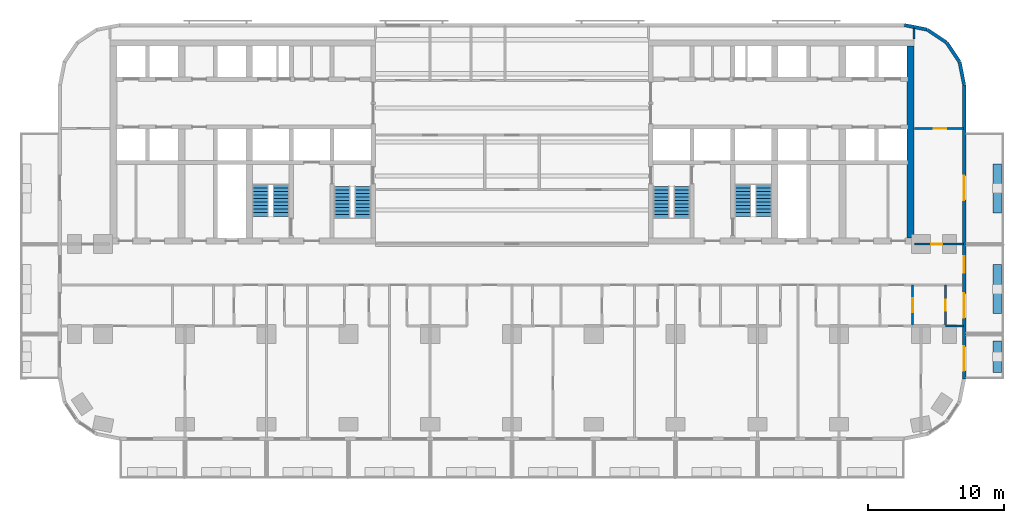
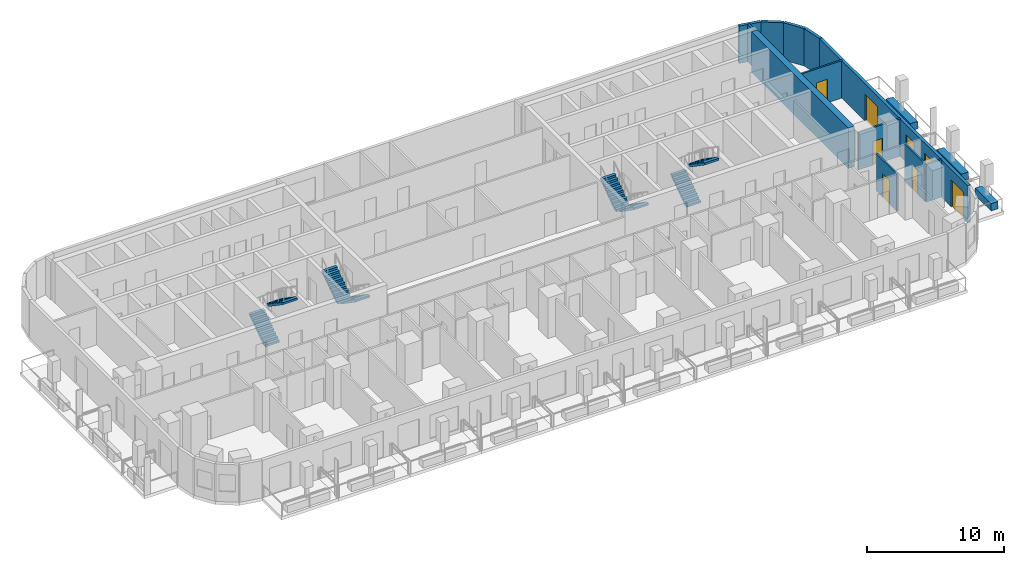
# One storey, part 9 of 14: 15 walls, 8 stair flights, 7 doors, 1 window, 8 openings, 4 elements without a shape of their own.
"""IFC4 building model written with IfcOpenShell, lengths in metres."""

from ifc_helpers import new_model, si_unit, direction, frame, frame_2d, origin, place, context, subcontext, project, spatial, polyline, rectangle, outline, extrude, material, layer, layer_set, type_object, element, fill, aggregate, save


model = new_model("IFC4")

# Units and contexts
model_context = context("Model", 3, precision=1e-05, world=origin(), true_north=direction((0.0, 1.0)))
body_context = subcontext(model_context, "Body", "Model", "MODEL_VIEW")
ifc_project = project(units=[si_unit("LENGTHUNIT", "METRE"), si_unit("AREAUNIT", "SQUARE_METRE"), si_unit("VOLUMEUNIT", "CUBIC_METRE"), si_unit("PLANEANGLEUNIT", "RADIAN"), si_unit("MASSUNIT", "GRAM", prefix="KILO")], contexts=[model_context])

# Site, building, storey
site_placement = place(None, origin())
site = spatial("IfcSite", under=ifc_project, at=site_placement, CompositionType="ELEMENT")
building_placement = place(site_placement, origin())
building = spatial("IfcBuilding", under=site, at=building_placement, Name="Torana Hotel and Residences", CompositionType="ELEMENT")
storey_placement = place(building_placement, frame((0.0, 0.0, 74.39990234375)))
storey = spatial("IfcBuildingStorey", under=building, at=storey_placement, Name="L18", CompositionType="ELEMENT", Elevation=74.39990234375)

# Walls
ifc_material_1 = material(Name="Concrete C80/95", Category="concrete")
ifc_layer_1 = layer(ifc_material_1, 0.5)
ifc_layer_set_1 = layer_set([ifc_layer_1], Name="CORE WALL 500 C80/95")
wall_type_1 = type_object("IfcWallType", Name="CORE WALL 500 C80/95", PredefinedType="SHEAR", material=ifc_layer_set_1)
wall_1_placement = place(storey_placement, frame((29.25, -14.550048828125, 0.0), z_axis=(0.0, 0.0, 1.0), x_axis=(0.0, 1.0, 0.0)))
element("IfcWall", 1, at=wall_1_placement, inside=storey, type_object=wall_type_1, Name="Core wall E outer", PredefinedType="SHEAR", context=body_context, shape_type="SweptSolid", body=[
    extrude(rectangle(XDim=14.10009765625, YDim=0.5, at=frame_2d((7.050048828125, 0.0))), origin(), (0.0, 0.0, 1.0), 3.60009765625),
])
ifc_material_2 = material(Name="Black aluminium composite panel", Category="aluminium")
ifc_layer_2 = layer(ifc_material_2, 0.00390625, Name="Cladding", Category="cladding")
ifc_material_3 = material(Name="Ventilated air cavity")
ifc_layer_3 = layer(ifc_material_3, 0.0400390625, Name="Ventilated cavity", Category="cavity")
ifc_material_4 = material(Name="Mineral wool insulation")
ifc_layer_4 = layer(ifc_material_4, 0.090087890625, Name="Insulation", Category="insulation")
ifc_material_5 = material(Name="Steel S280GD", Category="steel")
ifc_layer_5 = layer(ifc_material_5, 0.092041015625, Name="Steel stud frame", Category="structure")
ifc_material_6 = material(Name="Fire rated plasterboard")
ifc_layer_6 = layer(ifc_material_6, 0.011962890625, Name="Inner board", Category="finish")
ifc_layer_7 = layer(ifc_material_6, 0.011962890625, Name="Second board", Category="finish")
ifc_layer_set_2 = layer_set([ifc_layer_2, ifc_layer_3, ifc_layer_4, ifc_layer_5, ifc_layer_6, ifc_layer_7], Name="EW1 EXTERNAL WALL BLACK METAL CLAD 250")
wall_type_2 = type_object("IfcWallType", Name="EW1 EXTERNAL WALL BLACK METAL CLAD 250", PredefinedType="SOLIDWALL", material=ifc_layer_set_2)
wall_2_placement = place(storey_placement, frame((33.172607421875, -3.30029296875, 0.0), z_axis=(0.0, 0.0, 1.0), x_axis=(-0.19513878023, 0.980775640221, 0.0)))
element("IfcWall", 2, at=wall_2_placement, inside=storey, type_object=wall_type_2, Name="External wall L18 e0.0", PredefinedType="SOLIDWALL", context=body_context, shape_type="SweptSolid", body=[
    extrude(rectangle(XDim=1.681396484375, YDim=0.25, at=frame_2d((0.8408203125, 0.0))), origin(), (0.0, 0.0, 1.0), 3.320068359375),
])
for number, where, z_axis, x_axis, name in (
    (3, (32.825927734375, -1.60595703125, 0.0), (0.0, 0.0, 1.0), (-0.55555029066, 0.831482937015, 0.0), "External wall L18 e0.1"),
    (4, (31.87109375, -0.1943359375, 0.0), (0.0, 0.0, 1.0), (-0.831482937015, 0.55555029066, 0.0), "External wall L18 e0.2"),
):
    element("IfcWall", number, at=place(storey_placement, frame(where, z_axis=z_axis, x_axis=x_axis)), inside=storey, type_object=wall_type_2, Name=name, PredefinedType="SOLIDWALL", context=body_context, shape_type="SweptSolid", body=[
        extrude(rectangle(XDim=1.65625, YDim=0.25, at=frame_2d((0.828125, 0.0))), origin(), (0.0, 0.0, 1.0), 3.320068359375),
    ])
wall_3_placement = place(storey_placement, frame((30.448974609375, 0.74462890625, 0.0), z_axis=(0.0, 0.0, 1.0), x_axis=(-0.980803419081, 0.194999110559, 0.0)))
element("IfcWall", 5, at=wall_3_placement, inside=storey, type_object=wall_type_2, Name="External wall L18 e0.3", PredefinedType="SOLIDWALL", context=body_context, shape_type="SweptSolid", body=[
    extrude(rectangle(XDim=1.681396484375, YDim=0.25, at=frame_2d((0.8408203125, 0.0))), origin(), (0.0, 0.0, 1.0), 3.320068359375),
])

# Wall, openings, doors, window
wall_4_placement = place(storey_placement, frame((33.175048828125, -24.87548828125, 0.0), z_axis=(0.0, 0.0, 1.0), x_axis=(0.0, 1.0, 0.0)))
wall_4 = element("IfcWall", 6, at=wall_4_placement, inside=storey, type_object=wall_type_2, Name="External wall L18 e0.19", PredefinedType="SOLIDWALL", context=body_context, shape_type="SweptSolid", body=[
    extrude(rectangle(XDim=21.55078125, YDim=0.25, at=frame_2d((10.775390625, 0.0))), origin(), (0.0, 0.0, 1.0), 3.320068359375),
])
opening_1_placement = place(wall_4_placement, frame((0.575439453125, 0.0, 0.0)))
opening_1 = element("IfcOpeningElement", 7, at=opening_1_placement, cuts=wall_4, Name="Opening L18-E11", PredefinedType="OPENING", context=body_context, shape_type="SweptSolid", body=[
    extrude(rectangle(XDim=1.800048828125, YDim=2.39990234375, at=frame_2d((0.89990234375, 1.199951171875))), frame((0.0, 0.135009765625, 0.0), z_axis=(0.0, -1.0, 0.0), x_axis=(1.0, 0.0, 0.0)), (0.0, 0.0, 1.0), 0.27001953125),
])
opening_2_placement = place(wall_4_placement, frame((4.475341796875, 0.0, 0.0)))
opening_2 = element("IfcOpeningElement", 8, at=opening_2_placement, cuts=wall_4, Name="Opening L18-E12", PredefinedType="OPENING", context=body_context, shape_type="SweptSolid", body=[
    extrude(rectangle(XDim=1.800048828125, YDim=2.39990234375, at=frame_2d((0.89990234375, 1.199951171875))), frame((0.0, 0.135009765625, 0.0), z_axis=(0.0, -1.0, 0.0), x_axis=(1.0, 0.0, 0.0)), (0.0, 0.0, 1.0), 0.27001953125),
])
opening_3_placement = place(wall_4_placement, frame((7.775390625, 0.0, 0.300048828125)))
opening_3 = element("IfcOpeningElement", 9, at=opening_3_placement, cuts=wall_4, Name="Opening W7", PredefinedType="OPENING", context=body_context, shape_type="SweptSolid", body=[
    extrude(rectangle(XDim=1.199951171875, YDim=2.10009765625, at=frame_2d((0.60009765625, 1.050048828125))), frame((0.0, 0.135009765625, 0.0), z_axis=(0.0, -1.0, 0.0), x_axis=(1.0, 0.0, 0.0)), (0.0, 0.0, 1.0), 0.27001953125),
])
opening_4_placement = place(wall_4_placement, frame((13.100341796875, 0.0, 0.0)))
opening_4 = element("IfcOpeningElement", 10, at=opening_4_placement, cuts=wall_4, Name="Opening L18-E13", PredefinedType="OPENING", context=body_context, shape_type="SweptSolid", body=[
    extrude(rectangle(XDim=1.800048828125, YDim=2.39990234375, at=frame_2d((0.89990234375, 1.199951171875))), frame((0.0, 0.135009765625, 0.0), z_axis=(0.0, -1.0, 0.0), x_axis=(1.0, 0.0, 0.0)), (0.0, 0.0, 1.0), 0.27001953125),
])
ifc_material_7 = material(Name="Dark glass in black aluminium frame", Category="aluminium")
door_type_1 = type_object("IfcDoorType", Name="DB1 BALCONY DOOR 1800x2400", OperationType="DOUBLE_DOOR_SINGLE_SWING", PredefinedType="DOOR", material=ifc_material_7)
door_1_placement = place(opening_1_placement, origin())
door_1 = element("IfcDoor", 11, at=door_1_placement, inside=storey, type_object=door_type_1, Name="Balcony door L18", OperationType="DOUBLE_DOOR_SINGLE_SWING", OverallHeight=2.39990234375, OverallWidth=1.800048828125, PredefinedType="DOOR", context=body_context, shape_type="SweptSolid", body=[
    extrude(rectangle(XDim=1.800048828125, YDim=2.39990234375, at=frame_2d((0.89990234375, 1.199951171875))), frame((0.0, 0.02490234375, 0.0), z_axis=(0.0, -1.0, 0.0), x_axis=(1.0, 0.0, 0.0)), (0.0, 0.0, 1.0), 0.050048828125),
])
fill(opening_1, door_1)
door_2_placement = place(opening_2_placement, origin())
door_2 = element("IfcDoor", 12, at=door_2_placement, inside=storey, type_object=door_type_1, Name="Balcony door L18", OperationType="DOUBLE_DOOR_SINGLE_SWING", OverallHeight=2.39990234375, OverallWidth=1.800048828125, PredefinedType="DOOR", context=body_context, shape_type="SweptSolid", body=[
    extrude(rectangle(XDim=1.800048828125, YDim=2.39990234375, at=frame_2d((0.89990234375, 1.199951171875))), frame((0.0, 0.02490234375, 0.0), z_axis=(0.0, -1.0, 0.0), x_axis=(1.0, 0.0, 0.0)), (0.0, 0.0, 1.0), 0.050048828125),
])
fill(opening_2, door_2)
door_3_placement = place(opening_4_placement, origin())
door_3 = element("IfcDoor", 13, at=door_3_placement, inside=storey, type_object=door_type_1, Name="Balcony door L18", OperationType="DOUBLE_DOOR_SINGLE_SWING", OverallHeight=2.39990234375, OverallWidth=1.800048828125, PredefinedType="DOOR", context=body_context, shape_type="SweptSolid", body=[
    extrude(rectangle(XDim=1.800048828125, YDim=2.39990234375, at=frame_2d((0.89990234375, 1.199951171875))), frame((0.0, 0.02490234375, 0.0), z_axis=(0.0, -1.0, 0.0), x_axis=(1.0, 0.0, 0.0)), (0.0, 0.0, 1.0), 0.050048828125),
])
fill(opening_4, door_3)
ifc_material_8 = material(Name="Dark glass in black aluminium frame", Category="aluminium")
window_type = type_object("IfcWindowType", Name="W7 HOTEL CORRIDOR WINDOW 1200x2100", PartitioningType="SINGLE_PANEL", PredefinedType="WINDOW", material=ifc_material_8)
window_placement = place(opening_3_placement, origin())
window = element("IfcWindow", 14, at=window_placement, inside=storey, type_object=window_type, Name="Window L18", OverallHeight=2.10009765625, OverallWidth=1.199951171875, PartitioningType="SINGLE_PANEL", PredefinedType="WINDOW", context=body_context, shape_type="SweptSolid", body=[
    extrude(rectangle(XDim=1.199951171875, YDim=2.10009765625, at=frame_2d((0.60009765625, 1.050048828125))), frame((0.0, 0.030029296875, 0.0), z_axis=(0.0, -1.0, 0.0), x_axis=(1.0, 0.0, 0.0)), (0.0, 0.0, 1.0), 0.06005859375),
])
fill(opening_3, window)

# Wall, opening, door
ifc_material_9 = material(Name="Gypsum plaster")
ifc_layer_8 = layer(ifc_material_9, 0.014892578125, Name="Plaster", Category="finish")
ifc_material_10 = material(Name="Concrete blockwork", Category="masonry")
ifc_layer_9 = layer(ifc_material_10, 0.1201171875, Name="Blockwork", Category="structure")
ifc_layer_10 = layer(ifc_material_9, 0.014892578125, Name="Plaster", Category="finish")
ifc_layer_set_3 = layer_set([ifc_layer_8, ifc_layer_9, ifc_layer_10], Name="FIRE PARTITION 150 BLOCKWORK")
wall_type_3 = type_object("IfcWallType", Name="FIRE PARTITION 150 BLOCKWORK", PredefinedType="PARTITIONING", material=ifc_layer_set_3)
wall_5_placement = place(storey_placement, frame((29.39990234375, -21.0, 0.0), z_axis=(0.0, 0.0, 1.0), x_axis=(0.0, 1.0, 0.0)))
wall_5 = element("IfcWall", 15, at=wall_5_placement, inside=storey, type_object=wall_type_3, Name="Partition L18", PredefinedType="PARTITIONING", context=body_context, shape_type="SweptSolid", body=[
    extrude(rectangle(XDim=3.0, YDim=0.14990234375, at=frame_2d((1.5, 0.0))), origin(), (0.0, 0.0, 1.0), 3.320068359375),
])
opening_5_placement = place(wall_5_placement, frame((1.02001953125, 0.0, 0.0)))
opening_5 = element("IfcOpeningElement", 16, at=opening_5_placement, cuts=wall_5, Name="Opening L18-80", PredefinedType="OPENING", context=body_context, shape_type="SweptSolid", body=[
    extrude(rectangle(XDim=1.0, YDim=2.10009765625, at=frame_2d((0.5, 1.050048828125))), frame((0.0, 0.0849609375, 0.0), z_axis=(0.0, -1.0, 0.0), x_axis=(1.0, 0.0, 0.0)), (0.0, 0.0, 1.0), 0.169921875),
])
ifc_material_11 = material(Name="Steel S235", Category="steel")
door_type_2 = type_object("IfcDoorType", Name="ENTRY FIRE DOOR D6 1000x2100", OperationType="SINGLE_SWING_LEFT", PredefinedType="DOOR", material=ifc_material_11)
door_4_placement = place(opening_5_placement, frame((0.5, 0.0, 0.0), z_axis=(0.0, 0.0, 1.0), x_axis=(-1.0, 0.0, 0.0)))
door_4 = element("IfcDoor", 17, at=door_4_placement, inside=storey, type_object=door_type_2, Name="Door L18", OperationType="SINGLE_SWING_LEFT", OverallHeight=2.10009765625, OverallWidth=1.0, PredefinedType="DOOR", context=body_context, shape_type="SweptSolid", body=[
    extrude(rectangle(XDim=1.0, YDim=2.10009765625, at=frame_2d((0.0, 1.050048828125))), frame((0.0, -0.02490234375, 0.0), z_axis=(0.0, 1.0, 0.0), x_axis=(-1.0, 0.0, 0.0)), (0.0, 0.0, 1.0), 0.050048828125),
])
fill(opening_5, door_4)

wall_6_placement = place(storey_placement, frame((29.550048828125, -15.0, 0.0), z_axis=(0.0, 0.0, 1.0), x_axis=(1.0, 0.0, 0.0)))
wall_6 = element("IfcWall", 18, at=wall_6_placement, inside=storey, type_object=wall_type_3, Name="Partition L18", PredefinedType="PARTITIONING", context=body_context, shape_type="SweptSolid", body=[
    extrude(rectangle(XDim=3.570068359375, YDim=0.14990234375, at=frame_2d((1.78515625, 0.0))), origin(), (0.0, 0.0, 1.0), 3.320068359375),
])
opening_6_placement = place(wall_6_placement, frame((1.205078125, 0.0, 0.0)))
opening_6 = element("IfcOpeningElement", 19, at=opening_6_placement, cuts=wall_6, Name="Opening L18-50", PredefinedType="OPENING", context=body_context, shape_type="SweptSolid", body=[
    extrude(rectangle(XDim=0.800048828125, YDim=2.10009765625, at=frame_2d((0.39990234375, 1.050048828125))), frame((0.0, 0.0849609375, 0.0), z_axis=(0.0, -1.0, 0.0), x_axis=(1.0, 0.0, 0.0)), (0.0, 0.0, 1.0), 0.169921875),
])
ifc_material_12 = material(Name="Steel S235", Category="steel")
door_type_3 = type_object("IfcDoorType", Name="STORE FIRE DOOR D16 800x2100", OperationType="SINGLE_SWING_LEFT", PredefinedType="DOOR", material=ifc_material_12)
door_5_placement = place(opening_6_placement, origin())
door_5 = element("IfcDoor", 20, at=door_5_placement, inside=storey, type_object=door_type_3, Name="Door L18", OperationType="SINGLE_SWING_RIGHT", OverallHeight=2.10009765625, OverallWidth=0.800048828125, PredefinedType="DOOR", context=body_context, shape_type="SweptSolid", body=[
    extrude(rectangle(XDim=0.800048828125, YDim=2.10009765625, at=frame_2d((0.39990234375, 1.050048828125))), frame((0.0, 0.02490234375, 0.0), z_axis=(0.0, -1.0, 0.0), x_axis=(1.0, 0.0, 0.0)), (0.0, 0.0, 1.0), 0.050048828125),
])
fill(opening_6, door_5)

# Wall
ifc_material_13 = material(Name="Gypsum plasterboard")
ifc_layer_11 = layer(ifc_material_13, 0.012451171875, Name="Plasterboard", Category="finish")
ifc_layer_12 = layer(ifc_material_13, 0.012451171875, Name="Plasterboard", Category="finish")
ifc_layer_13 = layer(ifc_material_5, 0.10009765625, Name="Steel studs with mineral wool", Category="insulation")
ifc_layer_14 = layer(ifc_material_13, 0.012451171875, Name="Plasterboard", Category="finish")
ifc_layer_15 = layer(ifc_material_13, 0.012451171875, Name="Plasterboard", Category="finish")
ifc_layer_set_4 = layer_set([ifc_layer_11, ifc_layer_12, ifc_layer_13, ifc_layer_14, ifc_layer_15], Name="PARTITION 150 PLASTERBOARD")
wall_type_4 = type_object("IfcWallType", Name="PARTITION 150 PLASTERBOARD", PredefinedType="PARTITIONING", material=ifc_layer_set_4)
wall_7_placement = place(storey_placement, frame((29.5, 0.050048828125, 0.0), z_axis=(0.0, 0.0, 1.0), x_axis=(0.0, 1.0, 0.0)))
element("IfcWall", 21, at=wall_7_placement, inside=storey, type_object=wall_type_4, Name="Partition L18", PredefinedType="PARTITIONING", context=body_context, shape_type="SweptSolid", body=[
    extrude(rectangle(XDim=0.8271484375, YDim=0.14990234375, at=frame_2d((0.41357421875, 0.0))), origin(), (0.0, 0.0, 1.0), 3.320068359375),
])

# Wall, opening, door
wall_8_placement = place(storey_placement, frame((29.550048828125, -6.5, 0.0), z_axis=(0.0, 0.0, 1.0), x_axis=(1.0, 0.0, 0.0)))
wall_8 = element("IfcWall", 22, at=wall_8_placement, inside=storey, type_object=wall_type_4, Name="Partition L18", PredefinedType="PARTITIONING", context=body_context, shape_type="SweptSolid", body=[
    extrude(rectangle(XDim=3.570068359375, YDim=0.14990234375, at=frame_2d((1.78515625, 0.0))), origin(), (0.0, 0.0, 1.0), 3.320068359375),
])
opening_7_placement = place(wall_8_placement, frame((1.39990234375, 0.0, 0.0)))
opening_7 = element("IfcOpeningElement", 23, at=opening_7_placement, cuts=wall_8, Name="Opening L18-85", PredefinedType="OPENING", context=body_context, shape_type="SweptSolid", body=[
    extrude(rectangle(XDim=0.89990234375, YDim=2.10009765625, at=frame_2d((0.449951171875, 1.050048828125))), frame((0.0, 0.0849609375, 0.0), z_axis=(0.0, -1.0, 0.0), x_axis=(1.0, 0.0, 0.0)), (0.0, 0.0, 1.0), 0.169921875),
])
ifc_material_14 = material(Name="Timber door, oiled ash", Category="wood")
door_type_4 = type_object("IfcDoorType", Name="ROOM DOOR D7 900x2100", OperationType="SINGLE_SWING_LEFT", PredefinedType="DOOR", material=ifc_material_14)
door_6_placement = place(opening_7_placement, origin())
door_6 = element("IfcDoor", 24, at=door_6_placement, inside=storey, type_object=door_type_4, Name="Door L18", OperationType="SINGLE_SWING_LEFT", OverallHeight=2.10009765625, OverallWidth=0.89990234375, PredefinedType="DOOR", context=body_context, shape_type="SweptSolid", body=[
    extrude(rectangle(XDim=0.89990234375, YDim=2.10009765625, at=frame_2d((0.449951171875, 1.050048828125))), frame((0.0, 0.02490234375, 0.0), z_axis=(0.0, -1.0, 0.0), x_axis=(1.0, 0.0, 0.0)), (0.0, 0.0, 1.0), 0.050048828125),
])
fill(opening_7, door_6)

# Walls
ifc_material_15 = material(Name="Concrete C40/50 precast", Category="concrete")
ifc_layer_16 = layer(ifc_material_15, 0.10009765625, Name="Planter shell", Category="structure")
ifc_material_16 = material(Name="Root resistant membrane")
ifc_layer_17 = layer(ifc_material_16, 0.00390625, Name="Waterproofing membrane", Category="membrane")
ifc_material_17 = material(Name="Drainage board with filter fleece")
ifc_layer_18 = layer(ifc_material_17, 0.02001953125, Name="Drainage board", Category="drainage")
ifc_material_18 = material(Name="Growing medium")
ifc_layer_19 = layer(ifc_material_18, 0.47607421875, Name="Planting substrate", Category="soil")
ifc_layer_set_5 = layer_set([ifc_layer_16, ifc_layer_17, ifc_layer_18, ifc_layer_19], Name="PL1 BALCONY PLANTER 600")
wall_type_5 = type_object("IfcWallType", Name="PL1 BALCONY PLANTER 600", PredefinedType="USERDEFINED", material=ifc_layer_set_5)
wall_9_placement = place(storey_placement, frame((35.60009765625, -22.10009765625, 0.0), z_axis=(0.0, 0.0, 1.0), x_axis=(0.0, -1.0, 0.0)))
element("IfcWall", 25, at=wall_9_placement, inside=storey, type_object=wall_type_5, Name="Planter 14", ObjectType="PLANTER", PredefinedType="USERDEFINED", context=body_context, shape_type="SweptSolid", body=[
    extrude(rectangle(XDim=2.2998046875, YDim=0.60009765625, at=frame_2d((1.14990234375, 0.0))), origin(), (0.0, 0.0, 1.0), 0.650146484375),
])
wall_10_placement = place(storey_placement, frame((35.60009765625, -16.5, 0.0), z_axis=(0.0, 0.0, 1.0), x_axis=(0.0, -1.0, 0.0)))
element("IfcWall", 26, at=wall_10_placement, inside=storey, type_object=wall_type_5, Name="Planter 15", ObjectType="PLANTER", PredefinedType="USERDEFINED", context=body_context, shape_type="SweptSolid", body=[
    extrude(rectangle(XDim=3.60009765625, YDim=0.60009765625, at=frame_2d((1.800048828125, 0.0))), origin(), (0.0, 0.0, 1.0), 0.650146484375),
])
wall_11_placement = place(storey_placement, frame((35.60009765625, -9.10009765625, 0.0), z_axis=(0.0, 0.0, 1.0), x_axis=(0.0, -1.0, 0.0)))
element("IfcWall", 27, at=wall_11_placement, inside=storey, type_object=wall_type_5, Name="Planter 16", ObjectType="PLANTER", PredefinedType="USERDEFINED", context=body_context, shape_type="SweptSolid", body=[
    extrude(rectangle(XDim=3.599853515625, YDim=0.60009765625, at=frame_2d((1.7998046875, 0.0))), origin(), (0.0, 0.0, 1.0), 0.650146484375),
])

# Wall, opening, door
ifc_material_19 = material(Name="Ceramic tile on adhesive")
ifc_layer_20 = layer(ifc_material_19, 0.010009765625, Name="Wall tile", Category="finish")
ifc_material_20 = material(Name="Cement render")
ifc_layer_21 = layer(ifc_material_20, 0.010009765625, Name="Render", Category="finish")
ifc_layer_22 = layer(ifc_material_10, 0.110107421875, Name="Blockwork", Category="structure")
ifc_layer_23 = layer(ifc_material_20, 0.010009765625, Name="Render", Category="finish")
ifc_layer_24 = layer(ifc_material_19, 0.010009765625, Name="Wall tile", Category="finish")
ifc_layer_set_6 = layer_set([ifc_layer_20, ifc_layer_21, ifc_layer_22, ifc_layer_23, ifc_layer_24], Name="WC PARTITION 150")
wall_type_6 = type_object("IfcWallType", Name="WC PARTITION 150", PredefinedType="PLUMBINGWALL", material=ifc_layer_set_6)
wall_12_placement = place(storey_placement, frame((31.800048828125, -21.0, 0.0), z_axis=(0.0, 0.0, 1.0), x_axis=(0.0, 1.0, 0.0)))
wall_12 = element("IfcWall", 28, at=wall_12_placement, inside=storey, type_object=wall_type_6, Name="Partition L18", PredefinedType="PLUMBINGWALL", context=body_context, shape_type="SweptSolid", body=[
    extrude(rectangle(XDim=3.0, YDim=0.14990234375, at=frame_2d((1.5, 0.0))), origin(), (0.0, 0.0, 1.0), 3.320068359375),
])
opening_8_placement = place(wall_12_placement, frame((1.1201171875, 0.0, 0.0)))
opening_8 = element("IfcOpeningElement", 29, at=opening_8_placement, cuts=wall_12, Name="Opening L18-82", PredefinedType="OPENING", context=body_context, shape_type="SweptSolid", body=[
    extrude(rectangle(XDim=0.800048828125, YDim=2.10009765625, at=frame_2d((0.39990234375, 1.050048828125))), frame((0.0, 0.0849609375, 0.0), z_axis=(0.0, -1.0, 0.0), x_axis=(1.0, 0.0, 0.0)), (0.0, 0.0, 1.0), 0.169921875),
])
ifc_material_21 = material(Name="Timber door, painted", Category="wood")
door_type_5 = type_object("IfcDoorType", Name="BATH DOOR D13 800x2100", OperationType="SINGLE_SWING_LEFT", PredefinedType="DOOR", material=ifc_material_21)
door_7_placement = place(opening_8_placement, origin())
door_7 = element("IfcDoor", 30, at=door_7_placement, inside=storey, type_object=door_type_5, Name="Door L18", OperationType="SINGLE_SWING_RIGHT", OverallHeight=2.10009765625, OverallWidth=0.800048828125, PredefinedType="DOOR", context=body_context, shape_type="SweptSolid", body=[
    extrude(rectangle(XDim=0.800048828125, YDim=2.10009765625, at=frame_2d((0.39990234375, 1.050048828125))), frame((0.0, 0.02490234375, 0.0), z_axis=(0.0, -1.0, 0.0), x_axis=(1.0, 0.0, 0.0)), (0.0, 0.0, 1.0), 0.050048828125),
])
fill(opening_8, door_7)

# Wall
wall_13_placement = place(storey_placement, frame((31.800048828125, -21.0, 0.0), z_axis=(0.0, 0.0, 1.0), x_axis=(1.0, 0.0, 0.0)))
element("IfcWall", 31, at=wall_13_placement, inside=storey, type_object=wall_type_6, Name="Partition L18", PredefinedType="PLUMBINGWALL", context=body_context, shape_type="SweptSolid", body=[
    extrude(rectangle(XDim=1.320068359375, YDim=0.14990234375, at=frame_2d((0.66015625, 0.0))), origin(), (0.0, 0.0, 1.0), 3.320068359375),
])

# Stair, stair flights
ifc_material_22 = material(Name="Concrete C40/50 precast", Category="concrete")
stair_type_1 = type_object("IfcStairType", Name="STAIR ST1 HALF TURN 1200", PredefinedType="HALF_TURN_STAIR", material=ifc_material_22)
stair_1_placement = place(storey_placement, origin())
stair_1 = element("IfcStair", 32, at=stair_1_placement, inside=storey, type_object=stair_type_1, Name="Stair ST1 L18", PredefinedType="HALF_TURN_STAIR")
ifc_material_23 = material(Name="Concrete C40/50 precast", Category="concrete")
stair_flight_type = type_object("IfcStairFlightType", Name="STAIR FLIGHT 1200 PRECAST", PredefinedType="STRAIGHT", material=ifc_material_23)
stair_flight_1_placement = place(storey_placement, frame((-10.949951171875, -10.75, 0.0), z_axis=(0.0, 0.0, 1.0), x_axis=(0.0, -1.0, 0.0)))
stair_flight_1 = element("IfcStairFlight", 33, at=stair_flight_1_placement, type_object=stair_flight_type, Name="ST1 flight 1", NumberOfRisers=10, NumberOfTreads=9, PredefinedType="STRAIGHT", RiserHeight=0.18, TreadLength=0.26, context=body_context, shape_type="SweptSolid", body=[
    extrude(outline(polyline([(0.0, 0.0), (0.0, 0.179931640625), (0.260009765625, 0.179931640625), (0.260009765625, 0.360107421875), (0.52001953125, 0.360107421875), (0.52001953125, 0.5400390625), (0.780029296875, 0.5400390625), (0.780029296875, 0.719970703125), (1.0400390625, 0.719970703125), (1.0400390625, 0.89990234375), (1.300048828125, 0.89990234375), (1.300048828125, 1.080078125), (1.56005859375, 1.080078125), (1.56005859375, 1.260009765625), (1.820068359375, 1.260009765625), (1.820068359375, 1.43994140625), (2.080078125, 1.43994140625), (2.080078125, 1.6201171875), (2.340087890625, 1.6201171875), (2.340087890625, 1.800048828125), (2.340087890625, 1.437744140625), (0.263427734375, 0.0), (0.0, 0.0)])), frame((0.0, 0.60009765625, 0.0), z_axis=(0.0, -1.0, 0.0), x_axis=(1.0, 0.0, 0.0)), (0.0, 0.0, 1.0), 1.199951171875),
])
stair_flight_2_placement = place(storey_placement, frame((-12.449951171875, -13.090087890625, 1.800048828125), z_axis=(0.0, 0.0, 1.0), x_axis=(0.0, 1.0, 0.0)))
stair_flight_2 = element("IfcStairFlight", 34, at=stair_flight_2_placement, type_object=stair_flight_type, Name="ST1 flight 2", NumberOfRisers=10, NumberOfTreads=9, PredefinedType="STRAIGHT", RiserHeight=0.18, TreadLength=0.26, context=body_context, shape_type="SweptSolid", body=[
    extrude(outline(polyline([(0.0, 0.0), (0.0, 0.179931640625), (0.260009765625, 0.179931640625), (0.260009765625, 0.360107421875), (0.52001953125, 0.360107421875), (0.52001953125, 0.5400390625), (0.780029296875, 0.5400390625), (0.780029296875, 0.719970703125), (1.0400390625, 0.719970703125), (1.0400390625, 0.89990234375), (1.300048828125, 0.89990234375), (1.300048828125, 1.080078125), (1.56005859375, 1.080078125), (1.56005859375, 1.260009765625), (1.820068359375, 1.260009765625), (1.820068359375, 1.43994140625), (2.080078125, 1.43994140625), (2.080078125, 1.6201171875), (2.340087890625, 1.6201171875), (2.340087890625, 1.800048828125), (2.340087890625, 1.437744140625), (0.263427734375, 0.0), (0.0, 0.0)])), frame((0.0, 0.60009765625, 0.0), z_axis=(0.0, -1.0, 0.0), x_axis=(1.0, 0.0, 0.0)), (0.0, 0.0, 1.0), 1.199951171875),
])
aggregate(stair_1, [stair_flight_1, stair_flight_2])

ifc_material_24 = material(Name="Concrete C40/50 precast", Category="concrete")
stair_type_2 = type_object("IfcStairType", Name="STAIR ST2 HALF TURN 1200", PredefinedType="HALF_TURN_STAIR", material=ifc_material_24)
stair_2_placement = place(storey_placement, origin())
stair_2 = element("IfcStair", 35, at=stair_2_placement, inside=storey, type_object=stair_type_2, Name="Stair ST2 L18", PredefinedType="HALF_TURN_STAIR")
stair_flight_3_placement = place(storey_placement, frame((-18.449951171875, -12.949951171875, 0.0), z_axis=(0.0, 0.0, 1.0), x_axis=(0.0, 1.0, 0.0)))
stair_flight_3 = element("IfcStairFlight", 36, at=stair_flight_3_placement, type_object=stair_flight_type, Name="ST2 flight 1", NumberOfRisers=10, NumberOfTreads=9, PredefinedType="STRAIGHT", RiserHeight=0.18, TreadLength=0.26, context=body_context, shape_type="SweptSolid", body=[
    extrude(outline(polyline([(0.0, 0.0), (0.0, 0.179931640625), (0.260009765625, 0.179931640625), (0.260009765625, 0.360107421875), (0.52001953125, 0.360107421875), (0.52001953125, 0.5400390625), (0.780029296875, 0.5400390625), (0.780029296875, 0.719970703125), (1.0400390625, 0.719970703125), (1.0400390625, 0.89990234375), (1.300048828125, 0.89990234375), (1.300048828125, 1.080078125), (1.56005859375, 1.080078125), (1.56005859375, 1.260009765625), (1.820068359375, 1.260009765625), (1.820068359375, 1.43994140625), (2.080078125, 1.43994140625), (2.080078125, 1.6201171875), (2.340087890625, 1.6201171875), (2.340087890625, 1.800048828125), (2.340087890625, 1.437744140625), (0.263427734375, 0.0), (0.0, 0.0)])), frame((0.0, 0.60009765625, 0.0), z_axis=(0.0, -1.0, 0.0), x_axis=(1.0, 0.0, 0.0)), (0.0, 0.0, 1.0), 1.199951171875),
])
stair_flight_4_placement = place(storey_placement, frame((-16.949951171875, -10.610107421875, 1.800048828125), z_axis=(0.0, 0.0, 1.0), x_axis=(0.0, -1.0, 0.0)))
stair_flight_4 = element("IfcStairFlight", 37, at=stair_flight_4_placement, type_object=stair_flight_type, Name="ST2 flight 2", NumberOfRisers=10, NumberOfTreads=9, PredefinedType="STRAIGHT", RiserHeight=0.18, TreadLength=0.26, context=body_context, shape_type="SweptSolid", body=[
    extrude(outline(polyline([(0.0, 0.0), (0.0, 0.179931640625), (0.260009765625, 0.179931640625), (0.260009765625, 0.360107421875), (0.52001953125, 0.360107421875), (0.52001953125, 0.5400390625), (0.780029296875, 0.5400390625), (0.780029296875, 0.719970703125), (1.0400390625, 0.719970703125), (1.0400390625, 0.89990234375), (1.300048828125, 0.89990234375), (1.300048828125, 1.080078125), (1.56005859375, 1.080078125), (1.56005859375, 1.260009765625), (1.820068359375, 1.260009765625), (1.820068359375, 1.43994140625), (2.080078125, 1.43994140625), (2.080078125, 1.6201171875), (2.340087890625, 1.6201171875), (2.340087890625, 1.800048828125), (2.340087890625, 1.437744140625), (0.263427734375, 0.0), (0.0, 0.0)])), frame((0.0, 0.60009765625, 0.0), z_axis=(0.0, -1.0, 0.0), x_axis=(1.0, 0.0, 0.0)), (0.0, 0.0, 1.0), 1.199951171875),
])
aggregate(stair_2, [stair_flight_3, stair_flight_4])

ifc_material_25 = material(Name="Concrete C40/50 precast", Category="concrete")
stair_type_3 = type_object("IfcStairType", Name="STAIR ST3 HALF TURN 1200", PredefinedType="HALF_TURN_STAIR", material=ifc_material_25)
stair_3_placement = place(storey_placement, origin())
stair_3 = element("IfcStair", 38, at=stair_3_placement, inside=storey, type_object=stair_type_3, Name="Stair ST3 L18", PredefinedType="HALF_TURN_STAIR")
stair_flight_5_placement = place(storey_placement, frame((12.449951171875, -10.75, 0.0), z_axis=(0.0, 0.0, 1.0), x_axis=(0.0, -1.0, 0.0)))
stair_flight_5 = element("IfcStairFlight", 39, at=stair_flight_5_placement, type_object=stair_flight_type, Name="ST3 flight 1", NumberOfRisers=10, NumberOfTreads=9, PredefinedType="STRAIGHT", RiserHeight=0.18, TreadLength=0.26, context=body_context, shape_type="SweptSolid", body=[
    extrude(outline(polyline([(0.0, 0.0), (0.0, 0.179931640625), (0.260009765625, 0.179931640625), (0.260009765625, 0.360107421875), (0.52001953125, 0.360107421875), (0.52001953125, 0.5400390625), (0.780029296875, 0.5400390625), (0.780029296875, 0.719970703125), (1.0400390625, 0.719970703125), (1.0400390625, 0.89990234375), (1.300048828125, 0.89990234375), (1.300048828125, 1.080078125), (1.56005859375, 1.080078125), (1.56005859375, 1.260009765625), (1.820068359375, 1.260009765625), (1.820068359375, 1.43994140625), (2.080078125, 1.43994140625), (2.080078125, 1.6201171875), (2.340087890625, 1.6201171875), (2.340087890625, 1.800048828125), (2.340087890625, 1.437744140625), (0.263427734375, 0.0), (0.0, 0.0)])), frame((0.0, 0.60009765625, 0.0), z_axis=(0.0, -1.0, 0.0), x_axis=(1.0, 0.0, 0.0)), (0.0, 0.0, 1.0), 1.199951171875),
])
stair_flight_6_placement = place(storey_placement, frame((10.949951171875, -13.090087890625, 1.800048828125), z_axis=(0.0, 0.0, 1.0), x_axis=(0.0, 1.0, 0.0)))
stair_flight_6 = element("IfcStairFlight", 40, at=stair_flight_6_placement, type_object=stair_flight_type, Name="ST3 flight 2", NumberOfRisers=10, NumberOfTreads=9, PredefinedType="STRAIGHT", RiserHeight=0.18, TreadLength=0.26, context=body_context, shape_type="SweptSolid", body=[
    extrude(outline(polyline([(0.0, 0.0), (0.0, 0.179931640625), (0.260009765625, 0.179931640625), (0.260009765625, 0.360107421875), (0.52001953125, 0.360107421875), (0.52001953125, 0.5400390625), (0.780029296875, 0.5400390625), (0.780029296875, 0.719970703125), (1.0400390625, 0.719970703125), (1.0400390625, 0.89990234375), (1.300048828125, 0.89990234375), (1.300048828125, 1.080078125), (1.56005859375, 1.080078125), (1.56005859375, 1.260009765625), (1.820068359375, 1.260009765625), (1.820068359375, 1.43994140625), (2.080078125, 1.43994140625), (2.080078125, 1.6201171875), (2.340087890625, 1.6201171875), (2.340087890625, 1.800048828125), (2.340087890625, 1.437744140625), (0.263427734375, 0.0), (0.0, 0.0)])), frame((0.0, 0.60009765625, 0.0), z_axis=(0.0, -1.0, 0.0), x_axis=(1.0, 0.0, 0.0)), (0.0, 0.0, 1.0), 1.199951171875),
])
aggregate(stair_3, [stair_flight_5, stair_flight_6])

ifc_material_26 = material(Name="Concrete C40/50 precast", Category="concrete")
stair_type_4 = type_object("IfcStairType", Name="STAIR ST4 HALF TURN 1200", PredefinedType="HALF_TURN_STAIR", material=ifc_material_26)
stair_4_placement = place(storey_placement, origin())
stair_4 = element("IfcStair", 41, at=stair_4_placement, inside=storey, type_object=stair_type_4, Name="Stair ST4 L18", PredefinedType="HALF_TURN_STAIR")
stair_flight_7_placement = place(storey_placement, frame((16.949951171875, -12.949951171875, 0.0), z_axis=(0.0, 0.0, 1.0), x_axis=(0.0, 1.0, 0.0)))
stair_flight_7 = element("IfcStairFlight", 42, at=stair_flight_7_placement, type_object=stair_flight_type, Name="ST4 flight 1", NumberOfRisers=10, NumberOfTreads=9, PredefinedType="STRAIGHT", RiserHeight=0.18, TreadLength=0.26, context=body_context, shape_type="SweptSolid", body=[
    extrude(outline(polyline([(0.0, 0.0), (0.0, 0.179931640625), (0.260009765625, 0.179931640625), (0.260009765625, 0.360107421875), (0.52001953125, 0.360107421875), (0.52001953125, 0.5400390625), (0.780029296875, 0.5400390625), (0.780029296875, 0.719970703125), (1.0400390625, 0.719970703125), (1.0400390625, 0.89990234375), (1.300048828125, 0.89990234375), (1.300048828125, 1.080078125), (1.56005859375, 1.080078125), (1.56005859375, 1.260009765625), (1.820068359375, 1.260009765625), (1.820068359375, 1.43994140625), (2.080078125, 1.43994140625), (2.080078125, 1.6201171875), (2.340087890625, 1.6201171875), (2.340087890625, 1.800048828125), (2.340087890625, 1.437744140625), (0.263427734375, 0.0), (0.0, 0.0)])), frame((0.0, 0.60009765625, 0.0), z_axis=(0.0, -1.0, 0.0), x_axis=(1.0, 0.0, 0.0)), (0.0, 0.0, 1.0), 1.199951171875),
])
stair_flight_8_placement = place(storey_placement, frame((18.449951171875, -10.610107421875, 1.800048828125), z_axis=(0.0, 0.0, 1.0), x_axis=(0.0, -1.0, 0.0)))
stair_flight_8 = element("IfcStairFlight", 43, at=stair_flight_8_placement, type_object=stair_flight_type, Name="ST4 flight 2", NumberOfRisers=10, NumberOfTreads=9, PredefinedType="STRAIGHT", RiserHeight=0.18, TreadLength=0.26, context=body_context, shape_type="SweptSolid", body=[
    extrude(outline(polyline([(0.0, 0.0), (0.0, 0.179931640625), (0.260009765625, 0.179931640625), (0.260009765625, 0.360107421875), (0.52001953125, 0.360107421875), (0.52001953125, 0.5400390625), (0.780029296875, 0.5400390625), (0.780029296875, 0.719970703125), (1.0400390625, 0.719970703125), (1.0400390625, 0.89990234375), (1.300048828125, 0.89990234375), (1.300048828125, 1.080078125), (1.56005859375, 1.080078125), (1.56005859375, 1.260009765625), (1.820068359375, 1.260009765625), (1.820068359375, 1.43994140625), (2.080078125, 1.43994140625), (2.080078125, 1.6201171875), (2.340087890625, 1.6201171875), (2.340087890625, 1.800048828125), (2.340087890625, 1.437744140625), (0.263427734375, 0.0), (0.0, 0.0)])), frame((0.0, 0.60009765625, 0.0), z_axis=(0.0, -1.0, 0.0), x_axis=(1.0, 0.0, 0.0)), (0.0, 0.0, 1.0), 1.199951171875),
])
aggregate(stair_4, [stair_flight_7, stair_flight_8])

save(model, "model.ifc")
